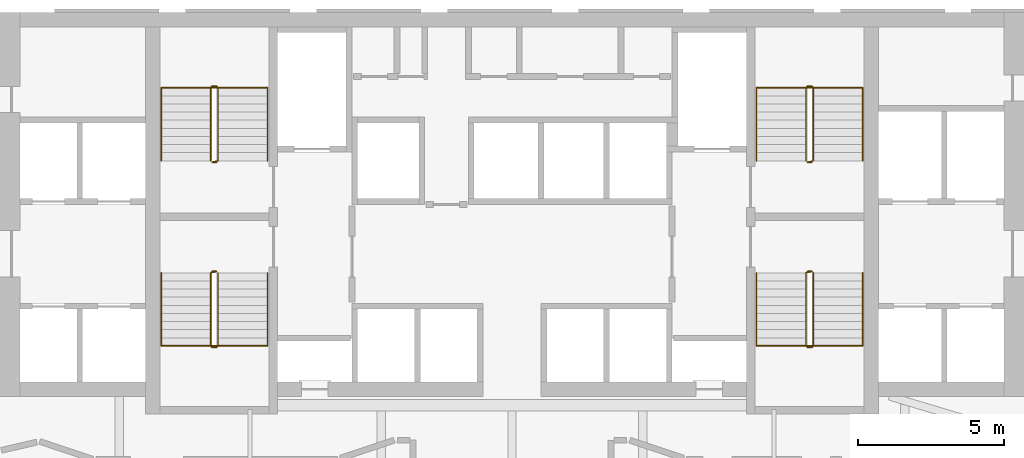
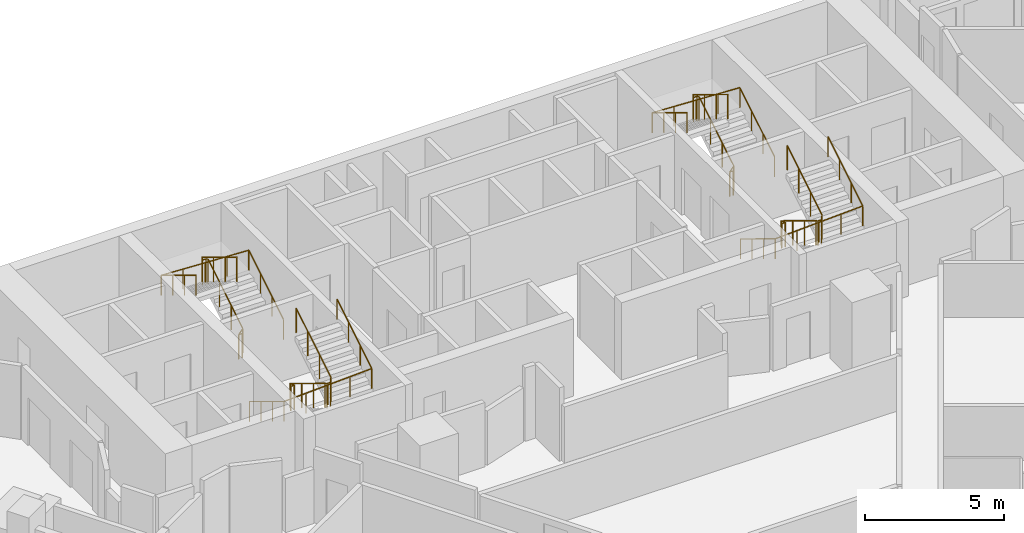
# One storey, part 10 of 10: 8 railings.
"""IFC4 building model written with IfcOpenShell, lengths in metres."""

from ifc_helpers import new_model, si_unit, direction, frame, origin, origin_2d, place, context, subcontext, project, spatial, circle, extrude, material, type_object, element, save


model = new_model("IFC4")

# Units and contexts
model_context = context("Model", 3, precision=1e-05, world=origin(), true_north=direction((0.0, 1.0)))
body_context = subcontext(model_context, "Body", "Model", "MODEL_VIEW")
ifc_project = project(units=[si_unit("LENGTHUNIT", "METRE"), si_unit("AREAUNIT", "SQUARE_METRE"), si_unit("VOLUMEUNIT", "CUBIC_METRE"), si_unit("PLANEANGLEUNIT", "RADIAN"), si_unit("MASSUNIT", "GRAM", prefix="KILO")], contexts=[model_context])

# Site, building, storey
site_placement = place(None, origin())
site = spatial("IfcSite", under=ifc_project, at=site_placement, CompositionType="ELEMENT")
building_placement = place(site_placement, origin())
building = spatial("IfcBuilding", under=site, at=building_placement, Name="Calabash Gate Tower", CompositionType="ELEMENT")
storey_placement = place(building_placement, frame((0.0, 0.0, 66.39990234375)))
storey = spatial("IfcBuildingStorey", under=building, at=storey_placement, Name="L12", CompositionType="ELEMENT", Elevation=66.39990234375)

# Railings
ifc_material_1 = material(Name="Black powder-coated steel balusters", Category="steel")
railing_type_1 = type_object("IfcRailingType", Name="Stair guard RL1100", PredefinedType="GUARDRAIL", material=ifc_material_1)
railing_1_placement = place(storey_placement, frame((-10.14990234375, 13.902587890625, 0.0)))
element("IfcRailing", 1, at=railing_1_placement, inside=storey, type_object=railing_type_1, Name="L12 ST1 stair guard 1", PredefinedType="GUARDRAIL", context=body_context, shape_type="SweptSolid", body=[
    extrude(circle(Radius=0.02392578125, at=origin_2d()), frame((0.0, 0.0, 1.076171875), z_axis=(-1.0, 0.0, 0.0), x_axis=(0.0, -1.0, 0.0)), (0.0, 0.0, 1.0), 0.150146484375),
    extrude(circle(Radius=0.02392578125, at=origin_2d()), frame((-0.150146484375, 0.0, 1.076171875), z_axis=(0.748079357382, 0.187248190798, 0.636643848712), x_axis=(-0.242814311512, 0.970072785993, 0.0)), (0.0, 0.0, 1.0), 0.267333984375),
    extrude(circle(Radius=0.02392578125, at=origin_2d()), frame((0.0498046875, 0.050048828125, 1.24609375), z_axis=(0.0, 0.853956361026, 0.520344629514), x_axis=(-1.0, 0.0, 0.0)), (0.0, 0.0, 1.0), 2.9404296875),
    extrude(circle(Radius=0.02392578125, at=origin_2d()), frame((0.0498046875, 2.56103515625, 2.7763671875), z_axis=(-0.705375805398, 0.708833529934, 0.0), x_axis=(-0.708833529934, -0.705375805398, 0.0)), (0.0, 0.0, 1.0), 0.070556640625),
    extrude(circle(Radius=0.02392578125, at=origin_2d()), frame((0.0, 2.611083984375, 2.7763671875), z_axis=(-1.0, 0.0, 0.0), x_axis=(0.0, -1.0, 0.0)), (0.0, 0.0, 1.0), 0.150146484375),
    extrude(circle(Radius=0.02392578125, at=origin_2d()), frame((-0.150146484375, 2.611083984375, 2.7763671875), z_axis=(-0.271895245746, -0.271895245746, 0.923117517265), x_axis=(0.707106781187, -0.707106781187, 0.0)), (0.0, 0.0, 1.0), 0.18408203125),
    extrude(circle(Radius=0.02392578125, at=origin_2d()), frame((-0.2001953125, 2.56103515625, 2.9462890625), z_axis=(0.0, -0.853956361026, 0.520344629514), x_axis=(1.0, 0.0, 0.0)), (0.0, 0.0, 1.0), 2.9404296875),
    extrude(circle(Radius=0.02099609375, at=origin_2d()), origin(), (0.0, 0.0, 1.0), 1.052001953125),
    extrude(circle(Radius=0.02099609375, at=origin_2d()), frame((-0.150146484375, 0.0, 0.0)), (0.0, 0.0, 1.0), 1.052001953125),
    extrude(circle(Radius=0.02099609375, at=origin_2d()), frame((0.0498046875, 0.050048828125, 0.170166015625)), (0.0, 0.0, 1.0), 1.052001953125),
    extrude(circle(Radius=0.02099609375, at=origin_2d()), frame((0.0498046875, 0.886962890625, 0.68017578125)), (0.0, 0.0, 1.0), 1.052001953125),
    extrude(circle(Radius=0.02099609375, at=origin_2d()), frame((0.0498046875, 1.72412109375, 1.190185546875)), (0.0, 0.0, 1.0), 1.052001953125),
    extrude(circle(Radius=0.02099609375, at=origin_2d()), frame((0.0498046875, 2.56103515625, 1.7001953125)), (0.0, 0.0, 1.0), 1.052001953125),
    extrude(circle(Radius=0.02099609375, at=origin_2d()), frame((0.0, 2.611083984375, 1.7001953125)), (0.0, 0.0, 1.0), 1.052001953125),
    extrude(circle(Radius=0.02099609375, at=origin_2d()), frame((-0.150146484375, 2.611083984375, 1.7001953125)), (0.0, 0.0, 1.0), 1.052001953125),
    extrude(circle(Radius=0.02099609375, at=origin_2d()), frame((-0.2001953125, 2.56103515625, 1.8701171875)), (0.0, 0.0, 1.0), 1.052001953125),
    extrude(circle(Radius=0.02099609375, at=origin_2d()), frame((-0.2001953125, 1.72412109375, 2.380126953125)), (0.0, 0.0, 1.0), 1.052001953125),
    extrude(circle(Radius=0.02099609375, at=origin_2d()), frame((-0.2001953125, 0.886962890625, 2.89013671875)), (0.0, 0.0, 1.0), 1.052001953125),
    extrude(circle(Radius=0.02099609375, at=origin_2d()), frame((-0.2001953125, 0.050048828125, 3.400146484375)), (0.0, 0.0, 1.0), 1.052001953125),
])
railing_2_placement = place(storey_placement, frame((-10.300048828125, 10.152587890625, 0.0)))
element("IfcRailing", 2, at=railing_2_placement, inside=storey, type_object=railing_type_1, Name="L12 ST2 stair guard 1", PredefinedType="GUARDRAIL", context=body_context, shape_type="SweptSolid", body=[
    extrude(circle(Radius=0.02392578125, at=origin_2d()), frame((0.0, 0.0, 1.076171875), z_axis=(1.0, 0.0, 0.0), x_axis=(0.0, 1.0, 0.0)), (0.0, 0.0, 1.0), 0.150146484375),
    extrude(circle(Radius=0.02392578125, at=origin_2d()), frame((0.150146484375, 0.0, 1.076171875), z_axis=(-0.748481188565, -0.187120297141, 0.63620901028), x_axis=(0.242535625036, -0.970142500145, 0.0)), (0.0, 0.0, 1.0), 0.267578125),
    extrude(circle(Radius=0.02392578125, at=origin_2d()), frame((-0.050048828125, -0.050048828125, 1.24609375), z_axis=(0.0, -0.853956361026, 0.520344629514), x_axis=(1.0, 0.0, 0.0)), (0.0, 0.0, 1.0), 2.9404296875),
    extrude(circle(Radius=0.02392578125, at=origin_2d()), frame((-0.050048828125, -2.56103515625, 2.7763671875), z_axis=(0.707106781187, -0.707106781187, 0.0), x_axis=(0.707106781187, 0.707106781187, 0.0)), (0.0, 0.0, 1.0), 0.07080078125),
    extrude(circle(Radius=0.02392578125, at=origin_2d()), frame((0.0, -2.611083984375, 2.7763671875), z_axis=(1.0, 0.0, 0.0), x_axis=(0.0, 1.0, 0.0)), (0.0, 0.0, 1.0), 0.150146484375),
    extrude(circle(Radius=0.02392578125, at=origin_2d()), frame((0.150146484375, -2.611083984375, 2.7763671875), z_axis=(0.270666314514, 0.271993110173, 0.92344977893), x_axis=(-0.708833529934, 0.705375805398, 0.0)), (0.0, 0.0, 1.0), 0.18408203125),
    extrude(circle(Radius=0.02392578125, at=origin_2d()), frame((0.199951171875, -2.56103515625, 2.9462890625), z_axis=(0.0, 0.853956361026, 0.520344629514), x_axis=(-1.0, 0.0, 0.0)), (0.0, 0.0, 1.0), 2.9404296875),
    extrude(circle(Radius=0.02099609375, at=origin_2d()), origin(), (0.0, 0.0, 1.0), 1.052001953125),
    extrude(circle(Radius=0.02099609375, at=origin_2d()), frame((0.150146484375, 0.0, 0.0)), (0.0, 0.0, 1.0), 1.052001953125),
    extrude(circle(Radius=0.02099609375, at=origin_2d()), frame((-0.050048828125, -0.050048828125, 0.170166015625)), (0.0, 0.0, 1.0), 1.052001953125),
    extrude(circle(Radius=0.02099609375, at=origin_2d()), frame((-0.050048828125, -0.886962890625, 0.68017578125)), (0.0, 0.0, 1.0), 1.052001953125),
    extrude(circle(Radius=0.02099609375, at=origin_2d()), frame((-0.050048828125, -1.72412109375, 1.190185546875)), (0.0, 0.0, 1.0), 1.052001953125),
    extrude(circle(Radius=0.02099609375, at=origin_2d()), frame((-0.050048828125, -2.56103515625, 1.7001953125)), (0.0, 0.0, 1.0), 1.052001953125),
    extrude(circle(Radius=0.02099609375, at=origin_2d()), frame((0.0, -2.611083984375, 1.7001953125)), (0.0, 0.0, 1.0), 1.052001953125),
    extrude(circle(Radius=0.02099609375, at=origin_2d()), frame((0.150146484375, -2.611083984375, 1.7001953125)), (0.0, 0.0, 1.0), 1.052001953125),
    extrude(circle(Radius=0.02099609375, at=origin_2d()), frame((0.199951171875, -2.56103515625, 1.8701171875)), (0.0, 0.0, 1.0), 1.052001953125),
    extrude(circle(Radius=0.02099609375, at=origin_2d()), frame((0.199951171875, -1.72412109375, 2.380126953125)), (0.0, 0.0, 1.0), 1.052001953125),
    extrude(circle(Radius=0.02099609375, at=origin_2d()), frame((0.199951171875, -0.886962890625, 2.89013671875)), (0.0, 0.0, 1.0), 1.052001953125),
    extrude(circle(Radius=0.02099609375, at=origin_2d()), frame((0.199951171875, -0.050048828125, 3.400146484375)), (0.0, 0.0, 1.0), 1.052001953125),
])
railing_3_placement = place(storey_placement, frame((10.300048828125, 13.902587890625, 0.0)))
element("IfcRailing", 3, at=railing_3_placement, inside=storey, type_object=railing_type_1, Name="L12 ST3 stair guard 1", PredefinedType="GUARDRAIL", context=body_context, shape_type="SweptSolid", body=[
    extrude(circle(Radius=0.02392578125, at=origin_2d()), frame((0.0, 0.0, 1.076171875), z_axis=(-1.0, 0.0, 0.0), x_axis=(0.0, -1.0, 0.0)), (0.0, 0.0, 1.0), 0.150146484375),
    extrude(circle(Radius=0.02392578125, at=origin_2d()), frame((-0.150146484375, 0.0, 1.076171875), z_axis=(0.748481188565, 0.187120297141, 0.63620901028), x_axis=(-0.242535625036, 0.970142500145, 0.0)), (0.0, 0.0, 1.0), 0.267578125),
    extrude(circle(Radius=0.02392578125, at=origin_2d()), frame((0.050048828125, 0.050048828125, 1.24609375), z_axis=(0.0, 0.853956361026, 0.520344629514), x_axis=(-1.0, 0.0, 0.0)), (0.0, 0.0, 1.0), 2.9404296875),
    extrude(circle(Radius=0.02392578125, at=origin_2d()), frame((0.050048828125, 2.56103515625, 2.7763671875), z_axis=(-0.707106781187, 0.707106781187, 0.0), x_axis=(-0.707106781187, -0.707106781187, 0.0)), (0.0, 0.0, 1.0), 0.07080078125),
    extrude(circle(Radius=0.02392578125, at=origin_2d()), frame((0.0, 2.611083984375, 2.7763671875), z_axis=(-1.0, 0.0, 0.0), x_axis=(0.0, -1.0, 0.0)), (0.0, 0.0, 1.0), 0.150146484375),
    extrude(circle(Radius=0.02392578125, at=origin_2d()), frame((-0.150146484375, 2.611083984375, 2.7763671875), z_axis=(-0.270666314514, -0.271993110173, 0.92344977893), x_axis=(0.708833529934, -0.705375805398, 0.0)), (0.0, 0.0, 1.0), 0.18408203125),
    extrude(circle(Radius=0.02392578125, at=origin_2d()), frame((-0.199951171875, 2.56103515625, 2.9462890625), z_axis=(0.0, -0.853956361026, 0.520344629514), x_axis=(1.0, 0.0, 0.0)), (0.0, 0.0, 1.0), 2.9404296875),
    extrude(circle(Radius=0.02099609375, at=origin_2d()), origin(), (0.0, 0.0, 1.0), 1.052001953125),
    extrude(circle(Radius=0.02099609375, at=origin_2d()), frame((-0.150146484375, 0.0, 0.0)), (0.0, 0.0, 1.0), 1.052001953125),
    extrude(circle(Radius=0.02099609375, at=origin_2d()), frame((0.050048828125, 0.050048828125, 0.170166015625)), (0.0, 0.0, 1.0), 1.052001953125),
    extrude(circle(Radius=0.02099609375, at=origin_2d()), frame((0.050048828125, 0.886962890625, 0.68017578125)), (0.0, 0.0, 1.0), 1.052001953125),
    extrude(circle(Radius=0.02099609375, at=origin_2d()), frame((0.050048828125, 1.72412109375, 1.190185546875)), (0.0, 0.0, 1.0), 1.052001953125),
    extrude(circle(Radius=0.02099609375, at=origin_2d()), frame((0.050048828125, 2.56103515625, 1.7001953125)), (0.0, 0.0, 1.0), 1.052001953125),
    extrude(circle(Radius=0.02099609375, at=origin_2d()), frame((0.0, 2.611083984375, 1.7001953125)), (0.0, 0.0, 1.0), 1.052001953125),
    extrude(circle(Radius=0.02099609375, at=origin_2d()), frame((-0.150146484375, 2.611083984375, 1.7001953125)), (0.0, 0.0, 1.0), 1.052001953125),
    extrude(circle(Radius=0.02099609375, at=origin_2d()), frame((-0.199951171875, 2.56103515625, 1.8701171875)), (0.0, 0.0, 1.0), 1.052001953125),
    extrude(circle(Radius=0.02099609375, at=origin_2d()), frame((-0.199951171875, 1.72412109375, 2.380126953125)), (0.0, 0.0, 1.0), 1.052001953125),
    extrude(circle(Radius=0.02099609375, at=origin_2d()), frame((-0.199951171875, 0.886962890625, 2.89013671875)), (0.0, 0.0, 1.0), 1.052001953125),
    extrude(circle(Radius=0.02099609375, at=origin_2d()), frame((-0.199951171875, 0.050048828125, 3.400146484375)), (0.0, 0.0, 1.0), 1.052001953125),
])
railing_4_placement = place(storey_placement, frame((10.14990234375, 10.152587890625, 0.0)))
element("IfcRailing", 4, at=railing_4_placement, inside=storey, type_object=railing_type_1, Name="L12 ST4 stair guard 1", PredefinedType="GUARDRAIL", context=body_context, shape_type="SweptSolid", body=[
    extrude(circle(Radius=0.02392578125, at=origin_2d()), frame((0.0, 0.0, 1.076171875), z_axis=(1.0, 0.0, 0.0), x_axis=(0.0, 1.0, 0.0)), (0.0, 0.0, 1.0), 0.150146484375),
    extrude(circle(Radius=0.02392578125, at=origin_2d()), frame((0.150146484375, 0.0, 1.076171875), z_axis=(-0.748079357382, -0.187248190798, 0.636643848712), x_axis=(0.242814311512, -0.970072785993, 0.0)), (0.0, 0.0, 1.0), 0.267333984375),
    extrude(circle(Radius=0.02392578125, at=origin_2d()), frame((-0.0498046875, -0.050048828125, 1.24609375), z_axis=(0.0, -0.853956361026, 0.520344629514), x_axis=(1.0, 0.0, 0.0)), (0.0, 0.0, 1.0), 2.9404296875),
    extrude(circle(Radius=0.02392578125, at=origin_2d()), frame((-0.0498046875, -2.56103515625, 2.7763671875), z_axis=(0.705375805398, -0.708833529934, 0.0), x_axis=(0.708833529934, 0.705375805398, 0.0)), (0.0, 0.0, 1.0), 0.070556640625),
    extrude(circle(Radius=0.02392578125, at=origin_2d()), frame((0.0, -2.611083984375, 2.7763671875), z_axis=(1.0, 0.0, 0.0), x_axis=(0.0, 1.0, 0.0)), (0.0, 0.0, 1.0), 0.150146484375),
    extrude(circle(Radius=0.02392578125, at=origin_2d()), frame((0.150146484375, -2.611083984375, 2.7763671875), z_axis=(0.271895245746, 0.271895245746, 0.923117517265), x_axis=(-0.707106781187, 0.707106781187, 0.0)), (0.0, 0.0, 1.0), 0.18408203125),
    extrude(circle(Radius=0.02392578125, at=origin_2d()), frame((0.2001953125, -2.56103515625, 2.9462890625), z_axis=(0.0, 0.853956361026, 0.520344629514), x_axis=(-1.0, 0.0, 0.0)), (0.0, 0.0, 1.0), 2.9404296875),
    extrude(circle(Radius=0.02099609375, at=origin_2d()), origin(), (0.0, 0.0, 1.0), 1.052001953125),
    extrude(circle(Radius=0.02099609375, at=origin_2d()), frame((0.150146484375, 0.0, 0.0)), (0.0, 0.0, 1.0), 1.052001953125),
    extrude(circle(Radius=0.02099609375, at=origin_2d()), frame((-0.0498046875, -0.050048828125, 0.170166015625)), (0.0, 0.0, 1.0), 1.052001953125),
    extrude(circle(Radius=0.02099609375, at=origin_2d()), frame((-0.0498046875, -0.886962890625, 0.68017578125)), (0.0, 0.0, 1.0), 1.052001953125),
    extrude(circle(Radius=0.02099609375, at=origin_2d()), frame((-0.0498046875, -1.72412109375, 1.190185546875)), (0.0, 0.0, 1.0), 1.052001953125),
    extrude(circle(Radius=0.02099609375, at=origin_2d()), frame((-0.0498046875, -2.56103515625, 1.7001953125)), (0.0, 0.0, 1.0), 1.052001953125),
    extrude(circle(Radius=0.02099609375, at=origin_2d()), frame((0.0, -2.611083984375, 1.7001953125)), (0.0, 0.0, 1.0), 1.052001953125),
    extrude(circle(Radius=0.02099609375, at=origin_2d()), frame((0.150146484375, -2.611083984375, 1.7001953125)), (0.0, 0.0, 1.0), 1.052001953125),
    extrude(circle(Radius=0.02099609375, at=origin_2d()), frame((0.2001953125, -2.56103515625, 1.8701171875)), (0.0, 0.0, 1.0), 1.052001953125),
    extrude(circle(Radius=0.02099609375, at=origin_2d()), frame((0.2001953125, -1.72412109375, 2.380126953125)), (0.0, 0.0, 1.0), 1.052001953125),
    extrude(circle(Radius=0.02099609375, at=origin_2d()), frame((0.2001953125, -0.886962890625, 2.89013671875)), (0.0, 0.0, 1.0), 1.052001953125),
    extrude(circle(Radius=0.02099609375, at=origin_2d()), frame((0.2001953125, -0.050048828125, 3.400146484375)), (0.0, 0.0, 1.0), 1.052001953125),
])
ifc_material_2 = material(Name="Black powder-coated steel tube 48 mm", Category="steel")
railing_type_2 = type_object("IfcRailingType", Name="Stair handrail RL900", PredefinedType="HANDRAIL", material=ifc_material_2)
railing_5_placement = place(storey_placement, frame((-8.39990234375, 13.95263671875, 0.170166015625)))
element("IfcRailing", 5, at=railing_5_placement, inside=storey, type_object=railing_type_2, Name="L12 ST1 stair handrail 1", PredefinedType="HANDRAIL", context=body_context, shape_type="SweptSolid", body=[
    extrude(circle(Radius=0.02392578125, at=origin_2d()), frame((0.0, 0.0, 0.8759765625), z_axis=(0.0, 0.853956361026, 0.520344629514), x_axis=(-1.0, 0.0, 0.0)), (0.0, 0.0, 1.0), 2.9404296875),
    extrude(circle(Radius=0.02392578125, at=origin_2d()), frame((0.0, 2.510986328125, 2.40576171875), z_axis=(-0.998918210324, 0.0, 0.046501710547), x_axis=(0.0, -1.0, 0.0)), (0.0, 0.0, 1.0), 3.654052734375),
    extrude(circle(Radius=0.02392578125, at=origin_2d()), frame((-3.650146484375, 2.510986328125, 2.57568359375), z_axis=(0.0, -0.853956361026, 0.520344629514), x_axis=(1.0, 0.0, 0.0)), (0.0, 0.0, 1.0), 2.9404296875),
    extrude(circle(Radius=0.02099609375, at=origin_2d()), origin(), (0.0, 0.0, 1.0), 0.851806640625),
    extrude(circle(Radius=0.02099609375, at=origin_2d()), frame((0.0, 0.8369140625, 0.510009765625)), (0.0, 0.0, 1.0), 0.851806640625),
    extrude(circle(Radius=0.02099609375, at=origin_2d()), frame((0.0, 1.674072265625, 1.02001953125)), (0.0, 0.0, 1.0), 0.851806640625),
    extrude(circle(Radius=0.02099609375, at=origin_2d()), frame((0.0, 2.510986328125, 1.530029296875)), (0.0, 0.0, 1.0), 0.851806640625),
    extrude(circle(Radius=0.02099609375, at=origin_2d()), frame((-0.91259765625, 2.510986328125, 1.572509765625)), (0.0, 0.0, 1.0), 0.851806640625),
    extrude(circle(Radius=0.02099609375, at=origin_2d()), frame((-1.8251953125, 2.510986328125, 1.614990234375)), (0.0, 0.0, 1.0), 0.851806640625),
    extrude(circle(Radius=0.02099609375, at=origin_2d()), frame((-2.737548828125, 2.510986328125, 1.657470703125)), (0.0, 0.0, 1.0), 0.851806640625),
    extrude(circle(Radius=0.02099609375, at=origin_2d()), frame((-3.650146484375, 2.510986328125, 1.699951171875)), (0.0, 0.0, 1.0), 0.851806640625),
    extrude(circle(Radius=0.02099609375, at=origin_2d()), frame((-3.650146484375, 1.674072265625, 2.2099609375)), (0.0, 0.0, 1.0), 0.851806640625),
    extrude(circle(Radius=0.02099609375, at=origin_2d()), frame((-3.650146484375, 0.8369140625, 2.719970703125)), (0.0, 0.0, 1.0), 0.851806640625),
    extrude(circle(Radius=0.02099609375, at=origin_2d()), frame((-3.650146484375, 0.0, 3.22998046875)), (0.0, 0.0, 1.0), 0.851806640625),
])
railing_6_placement = place(storey_placement, frame((-12.050048828125, 10.1025390625, 0.170166015625)))
element("IfcRailing", 6, at=railing_6_placement, inside=storey, type_object=railing_type_2, Name="L12 ST2 stair handrail 1", PredefinedType="HANDRAIL", context=body_context, shape_type="SweptSolid", body=[
    extrude(circle(Radius=0.02392578125, at=origin_2d()), frame((0.0, 0.0, 0.8759765625), z_axis=(0.0, -0.853956361026, 0.520344629514), x_axis=(1.0, 0.0, 0.0)), (0.0, 0.0, 1.0), 2.9404296875),
    extrude(circle(Radius=0.02392578125, at=origin_2d()), frame((0.0, -2.510986328125, 2.40576171875), z_axis=(0.998918210324, 0.0, 0.046501710547), x_axis=(0.0, 1.0, 0.0)), (0.0, 0.0, 1.0), 3.654052734375),
    extrude(circle(Radius=0.02392578125, at=origin_2d()), frame((3.650146484375, -2.510986328125, 2.57568359375), z_axis=(0.0, 0.853956361026, 0.520344629514), x_axis=(-1.0, 0.0, 0.0)), (0.0, 0.0, 1.0), 2.9404296875),
    extrude(circle(Radius=0.02099609375, at=origin_2d()), origin(), (0.0, 0.0, 1.0), 0.851806640625),
    extrude(circle(Radius=0.02099609375, at=origin_2d()), frame((0.0, -0.8369140625, 0.510009765625)), (0.0, 0.0, 1.0), 0.851806640625),
    extrude(circle(Radius=0.02099609375, at=origin_2d()), frame((0.0, -1.674072265625, 1.02001953125)), (0.0, 0.0, 1.0), 0.851806640625),
    extrude(circle(Radius=0.02099609375, at=origin_2d()), frame((0.0, -2.510986328125, 1.530029296875)), (0.0, 0.0, 1.0), 0.851806640625),
    extrude(circle(Radius=0.02099609375, at=origin_2d()), frame((0.91259765625, -2.510986328125, 1.572509765625)), (0.0, 0.0, 1.0), 0.851806640625),
    extrude(circle(Radius=0.02099609375, at=origin_2d()), frame((1.8251953125, -2.510986328125, 1.614990234375)), (0.0, 0.0, 1.0), 0.851806640625),
    extrude(circle(Radius=0.02099609375, at=origin_2d()), frame((2.737548828125, -2.510986328125, 1.657470703125)), (0.0, 0.0, 1.0), 0.851806640625),
    extrude(circle(Radius=0.02099609375, at=origin_2d()), frame((3.650146484375, -2.510986328125, 1.699951171875)), (0.0, 0.0, 1.0), 0.851806640625),
    extrude(circle(Radius=0.02099609375, at=origin_2d()), frame((3.650146484375, -1.674072265625, 2.2099609375)), (0.0, 0.0, 1.0), 0.851806640625),
    extrude(circle(Radius=0.02099609375, at=origin_2d()), frame((3.650146484375, -0.8369140625, 2.719970703125)), (0.0, 0.0, 1.0), 0.851806640625),
    extrude(circle(Radius=0.02099609375, at=origin_2d()), frame((3.650146484375, 0.0, 3.22998046875)), (0.0, 0.0, 1.0), 0.851806640625),
])
railing_7_placement = place(storey_placement, frame((12.050048828125, 13.95263671875, 0.170166015625)))
element("IfcRailing", 7, at=railing_7_placement, inside=storey, type_object=railing_type_2, Name="L12 ST3 stair handrail 1", PredefinedType="HANDRAIL", context=body_context, shape_type="SweptSolid", body=[
    extrude(circle(Radius=0.02392578125, at=origin_2d()), frame((0.0, 0.0, 0.8759765625), z_axis=(0.0, 0.853956361026, 0.520344629514), x_axis=(-1.0, 0.0, 0.0)), (0.0, 0.0, 1.0), 2.9404296875),
    extrude(circle(Radius=0.02392578125, at=origin_2d()), frame((0.0, 2.510986328125, 2.40576171875), z_axis=(-0.998918210324, 0.0, 0.046501710547), x_axis=(0.0, -1.0, 0.0)), (0.0, 0.0, 1.0), 3.654052734375),
    extrude(circle(Radius=0.02392578125, at=origin_2d()), frame((-3.650146484375, 2.510986328125, 2.57568359375), z_axis=(0.0, -0.853956361026, 0.520344629514), x_axis=(1.0, 0.0, 0.0)), (0.0, 0.0, 1.0), 2.9404296875),
    extrude(circle(Radius=0.02099609375, at=origin_2d()), origin(), (0.0, 0.0, 1.0), 0.851806640625),
    extrude(circle(Radius=0.02099609375, at=origin_2d()), frame((0.0, 0.8369140625, 0.510009765625)), (0.0, 0.0, 1.0), 0.851806640625),
    extrude(circle(Radius=0.02099609375, at=origin_2d()), frame((0.0, 1.674072265625, 1.02001953125)), (0.0, 0.0, 1.0), 0.851806640625),
    extrude(circle(Radius=0.02099609375, at=origin_2d()), frame((0.0, 2.510986328125, 1.530029296875)), (0.0, 0.0, 1.0), 0.851806640625),
    extrude(circle(Radius=0.02099609375, at=origin_2d()), frame((-0.91259765625, 2.510986328125, 1.572509765625)), (0.0, 0.0, 1.0), 0.851806640625),
    extrude(circle(Radius=0.02099609375, at=origin_2d()), frame((-1.8251953125, 2.510986328125, 1.614990234375)), (0.0, 0.0, 1.0), 0.851806640625),
    extrude(circle(Radius=0.02099609375, at=origin_2d()), frame((-2.737548828125, 2.510986328125, 1.657470703125)), (0.0, 0.0, 1.0), 0.851806640625),
    extrude(circle(Radius=0.02099609375, at=origin_2d()), frame((-3.650146484375, 2.510986328125, 1.699951171875)), (0.0, 0.0, 1.0), 0.851806640625),
    extrude(circle(Radius=0.02099609375, at=origin_2d()), frame((-3.650146484375, 1.674072265625, 2.2099609375)), (0.0, 0.0, 1.0), 0.851806640625),
    extrude(circle(Radius=0.02099609375, at=origin_2d()), frame((-3.650146484375, 0.8369140625, 2.719970703125)), (0.0, 0.0, 1.0), 0.851806640625),
    extrude(circle(Radius=0.02099609375, at=origin_2d()), frame((-3.650146484375, 0.0, 3.22998046875)), (0.0, 0.0, 1.0), 0.851806640625),
])
railing_8_placement = place(storey_placement, frame((8.39990234375, 10.1025390625, 0.170166015625)))
element("IfcRailing", 8, at=railing_8_placement, inside=storey, type_object=railing_type_2, Name="L12 ST4 stair handrail 1", PredefinedType="HANDRAIL", context=body_context, shape_type="SweptSolid", body=[
    extrude(circle(Radius=0.02392578125, at=origin_2d()), frame((0.0, 0.0, 0.8759765625), z_axis=(0.0, -0.853956361026, 0.520344629514), x_axis=(1.0, 0.0, 0.0)), (0.0, 0.0, 1.0), 2.9404296875),
    extrude(circle(Radius=0.02392578125, at=origin_2d()), frame((0.0, -2.510986328125, 2.40576171875), z_axis=(0.998918210324, 0.0, 0.046501710547), x_axis=(0.0, 1.0, 0.0)), (0.0, 0.0, 1.0), 3.654052734375),
    extrude(circle(Radius=0.02392578125, at=origin_2d()), frame((3.650146484375, -2.510986328125, 2.57568359375), z_axis=(0.0, 0.853956361026, 0.520344629514), x_axis=(-1.0, 0.0, 0.0)), (0.0, 0.0, 1.0), 2.9404296875),
    extrude(circle(Radius=0.02099609375, at=origin_2d()), origin(), (0.0, 0.0, 1.0), 0.851806640625),
    extrude(circle(Radius=0.02099609375, at=origin_2d()), frame((0.0, -0.8369140625, 0.510009765625)), (0.0, 0.0, 1.0), 0.851806640625),
    extrude(circle(Radius=0.02099609375, at=origin_2d()), frame((0.0, -1.674072265625, 1.02001953125)), (0.0, 0.0, 1.0), 0.851806640625),
    extrude(circle(Radius=0.02099609375, at=origin_2d()), frame((0.0, -2.510986328125, 1.530029296875)), (0.0, 0.0, 1.0), 0.851806640625),
    extrude(circle(Radius=0.02099609375, at=origin_2d()), frame((0.91259765625, -2.510986328125, 1.572509765625)), (0.0, 0.0, 1.0), 0.851806640625),
    extrude(circle(Radius=0.02099609375, at=origin_2d()), frame((1.8251953125, -2.510986328125, 1.614990234375)), (0.0, 0.0, 1.0), 0.851806640625),
    extrude(circle(Radius=0.02099609375, at=origin_2d()), frame((2.737548828125, -2.510986328125, 1.657470703125)), (0.0, 0.0, 1.0), 0.851806640625),
    extrude(circle(Radius=0.02099609375, at=origin_2d()), frame((3.650146484375, -2.510986328125, 1.699951171875)), (0.0, 0.0, 1.0), 0.851806640625),
    extrude(circle(Radius=0.02099609375, at=origin_2d()), frame((3.650146484375, -1.674072265625, 2.2099609375)), (0.0, 0.0, 1.0), 0.851806640625),
    extrude(circle(Radius=0.02099609375, at=origin_2d()), frame((3.650146484375, -0.8369140625, 2.719970703125)), (0.0, 0.0, 1.0), 0.851806640625),
    extrude(circle(Radius=0.02099609375, at=origin_2d()), frame((3.650146484375, 0.0, 3.22998046875)), (0.0, 0.0, 1.0), 0.851806640625),
])

save(model, "model.ifc")
